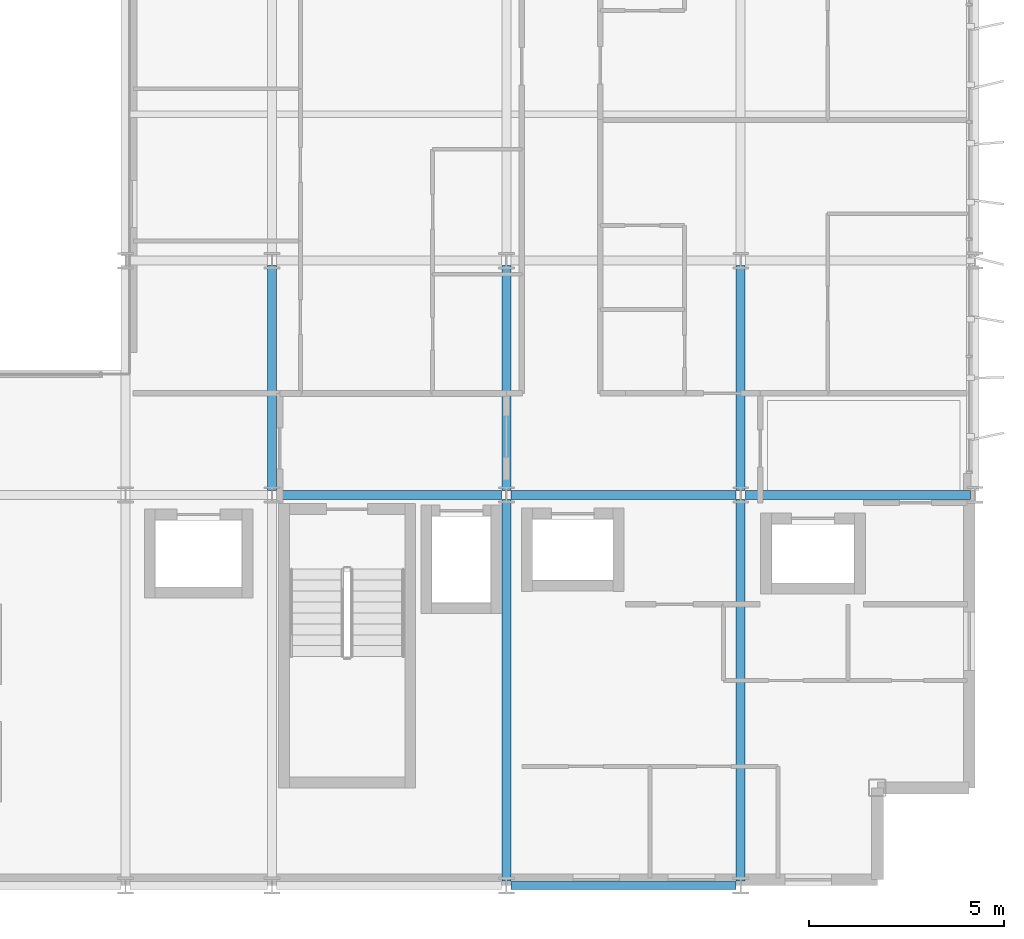
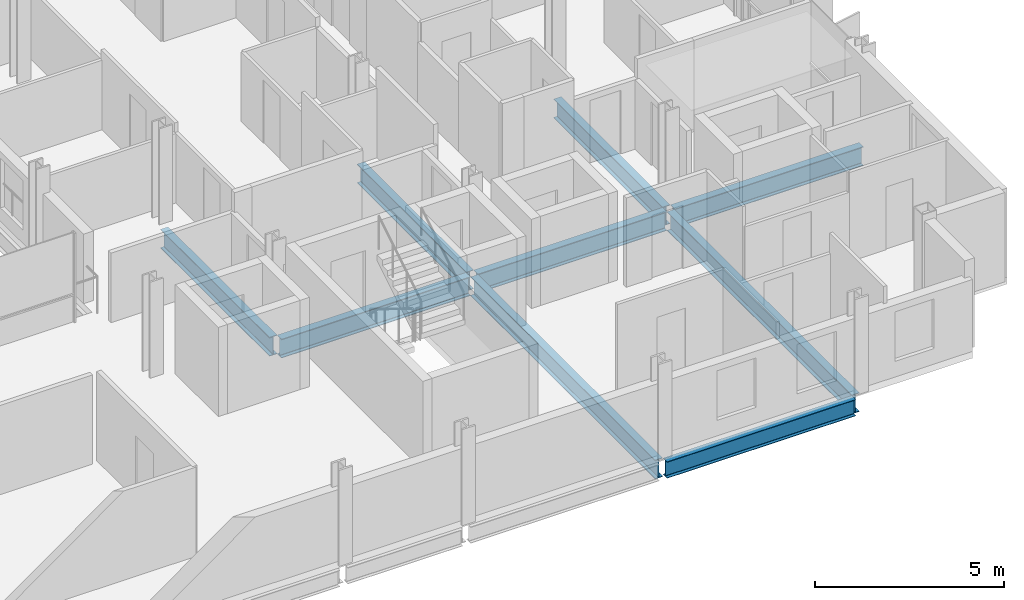
# One storey, part 14 of 39: 9 beams.
"""IFC4 building model written with IfcOpenShell, lengths in metres."""

from ifc_helpers import new_model, si_unit, direction, frame, origin, origin_2d, place, context, subcontext, project, spatial, i_section, extrude, material, material_profile, profile_set, type_object, element, save


model = new_model("IFC4")

# Units and contexts
model_context = context("Model", 3, precision=1e-05, world=origin(), true_north=direction((0.0, 1.0)))
body_context = subcontext(model_context, "Body", "Model", "MODEL_VIEW")
ifc_project = project(units=[si_unit("LENGTHUNIT", "METRE"), si_unit("AREAUNIT", "SQUARE_METRE"), si_unit("VOLUMEUNIT", "CUBIC_METRE"), si_unit("PLANEANGLEUNIT", "RADIAN"), si_unit("MASSUNIT", "GRAM", prefix="KILO")], contexts=[model_context])

# Site, building, storey
site_placement = place(None, origin())
site = spatial("IfcSite", under=ifc_project, at=site_placement, CompositionType="ELEMENT")
building_placement = place(site_placement, origin())
building = spatial("IfcBuilding", under=site, at=building_placement, Name="Brevholm Reach", CompositionType="ELEMENT")
storey_placement = place(building_placement, frame((0.0, 0.0, 109.699951171875)))
storey = spatial("IfcBuildingStorey", under=building, at=storey_placement, Name="L32", CompositionType="ELEMENT", Elevation=109.699951171875)

# Beams
ifc_material_1 = material(Name="Structural Steel S355J2", Category="steel")
ifc_material_profile_1 = material_profile(ifc_material_1, i_section(OverallWidth=0.209228515625, OverallDepth=0.533203125, WebThickness=0.010009765625, FlangeThickness=0.015625, FilletRadius=0.0126953125, at=origin_2d()), Name="UKB 533x210x92")
ifc_profile_set_1 = profile_set([ifc_material_profile_1], Name="Structural Steel S355J2")
beam_type_1 = type_object("IfcBeamType", Name="BM-SP533", PredefinedType="SPANDREL", material=ifc_profile_set_1)
beam_1_placement = place(storey_placement, frame((48.1201171875, 0.0, -0.486572265625), z_axis=(1.0, 0.0, 0.0), x_axis=(0.0, 1.0, 0.0)))
element("IfcBeam", 1, at=beam_1_placement, inside=storey, type_object=beam_type_1, Name="L32 SP-02 Framing Beam", PredefinedType="SPANDREL", context=body_context, shape_type="SweptSolid", body=[
    extrude(i_section(OverallWidth=0.209228515625, OverallDepth=0.533203125, WebThickness=0.010009765625, FlangeThickness=0.015625, FilletRadius=0.0126953125, at=origin_2d()), origin(), (0.0, 0.0, 1.0), 5.759765625),
])
ifc_material_2 = material(Name="Structural Steel S355J2", Category="steel")
ifc_material_profile_2 = material_profile(ifc_material_2, i_section(OverallWidth=0.22900390625, OverallDepth=0.6123046875, WebThickness=0.011962890625, FlangeThickness=0.01953125, FilletRadius=0.0126953125, at=origin_2d()), Name="UKB 610x229x125")
ifc_profile_set_2 = profile_set([ifc_material_profile_2], Name="Structural Steel S355J2")
beam_type_2 = type_object("IfcBeamType", Name="BM-SP610", PredefinedType="SPANDREL", material=ifc_profile_set_2)
for number, where, z_axis, x_axis, name in (
    (2, (42.1201171875, 10.0, -0.526123046875), (1.0, 0.0, 0.0), (0.0, 1.0, 0.0), "L32 SP-01 Framing Beam"),
    (3, (48.1201171875, 10.0, -0.526123046875), (1.0, 0.0, 0.0), (0.0, 1.0, 0.0), "L32 SP-01 Framing Beam"),
    (4, (54.1201171875, 10.0, -0.526123046875), (1.0, 0.0, 0.0), (0.0, 1.0, 0.0), "L32 SP-01 Framing Beam"),
    (5, (42.0, 10.1201171875, -0.526123046875), (0.0, 1.0, 0.0), (-1.0, 0.0, 0.0), "L32 SP-01 Framing Beam"),
):
    element("IfcBeam", number, at=place(storey_placement, frame(where, z_axis=z_axis, x_axis=x_axis)), inside=storey, type_object=beam_type_2, Name=name, PredefinedType="SPANDREL", context=body_context, shape_type="SweptSolid", body=[
        extrude(i_section(OverallWidth=0.22900390625, OverallDepth=0.6123046875, WebThickness=0.011962890625, FlangeThickness=0.01953125, FilletRadius=0.0126953125, at=origin_2d()), origin(), (0.0, 0.0, 1.0), 5.759765625),
    ])
beam_2_placement = place(storey_placement, frame((48.0, 0.1201171875, -0.526123046875), z_axis=(0.0, 1.0, 0.0), x_axis=(-1.0, 0.0, 0.0)))
element("IfcBeam", 6, at=beam_2_placement, inside=storey, type_object=beam_type_2, Name="L32 SP-01 Framing Beam", PredefinedType="SPANDREL", context=body_context, shape_type="SweptSolid", body=[
    extrude(i_section(OverallWidth=0.22900390625, OverallDepth=0.6123046875, WebThickness=0.011962890625, FlangeThickness=0.01953125, FilletRadius=0.0126953125, at=origin_2d()), origin(), (0.0, 0.0, 1.0), 9.759765625),
])
beam_3_placement = place(storey_placement, frame((48.0, 10.1201171875, -0.526123046875), z_axis=(0.0, 1.0, 0.0), x_axis=(-1.0, 0.0, 0.0)))
element("IfcBeam", 7, at=beam_3_placement, inside=storey, type_object=beam_type_2, Name="L32 SP-01 Framing Beam", PredefinedType="SPANDREL", context=body_context, shape_type="SweptSolid", body=[
    extrude(i_section(OverallWidth=0.22900390625, OverallDepth=0.6123046875, WebThickness=0.011962890625, FlangeThickness=0.01953125, FilletRadius=0.0126953125, at=origin_2d()), origin(), (0.0, 0.0, 1.0), 5.759765625),
])
beam_4_placement = place(storey_placement, frame((54.0, 0.1201171875, -0.526123046875), z_axis=(0.0, 1.0, 0.0), x_axis=(-1.0, 0.0, 0.0)))
element("IfcBeam", 8, at=beam_4_placement, inside=storey, type_object=beam_type_2, Name="L32 SP-01 Framing Beam", PredefinedType="SPANDREL", context=body_context, shape_type="SweptSolid", body=[
    extrude(i_section(OverallWidth=0.22900390625, OverallDepth=0.6123046875, WebThickness=0.011962890625, FlangeThickness=0.01953125, FilletRadius=0.0126953125, at=origin_2d()), origin(), (0.0, 0.0, 1.0), 9.759765625),
])
beam_5_placement = place(storey_placement, frame((54.0, 10.1201171875, -0.526123046875), z_axis=(0.0, 1.0, 0.0), x_axis=(-1.0, 0.0, 0.0)))
element("IfcBeam", 9, at=beam_5_placement, inside=storey, type_object=beam_type_2, Name="L32 SP-01 Framing Beam", PredefinedType="SPANDREL", context=body_context, shape_type="SweptSolid", body=[
    extrude(i_section(OverallWidth=0.22900390625, OverallDepth=0.6123046875, WebThickness=0.011962890625, FlangeThickness=0.01953125, FilletRadius=0.0126953125, at=origin_2d()), origin(), (0.0, 0.0, 1.0), 5.759765625),
])

save(model, "model.ifc")
